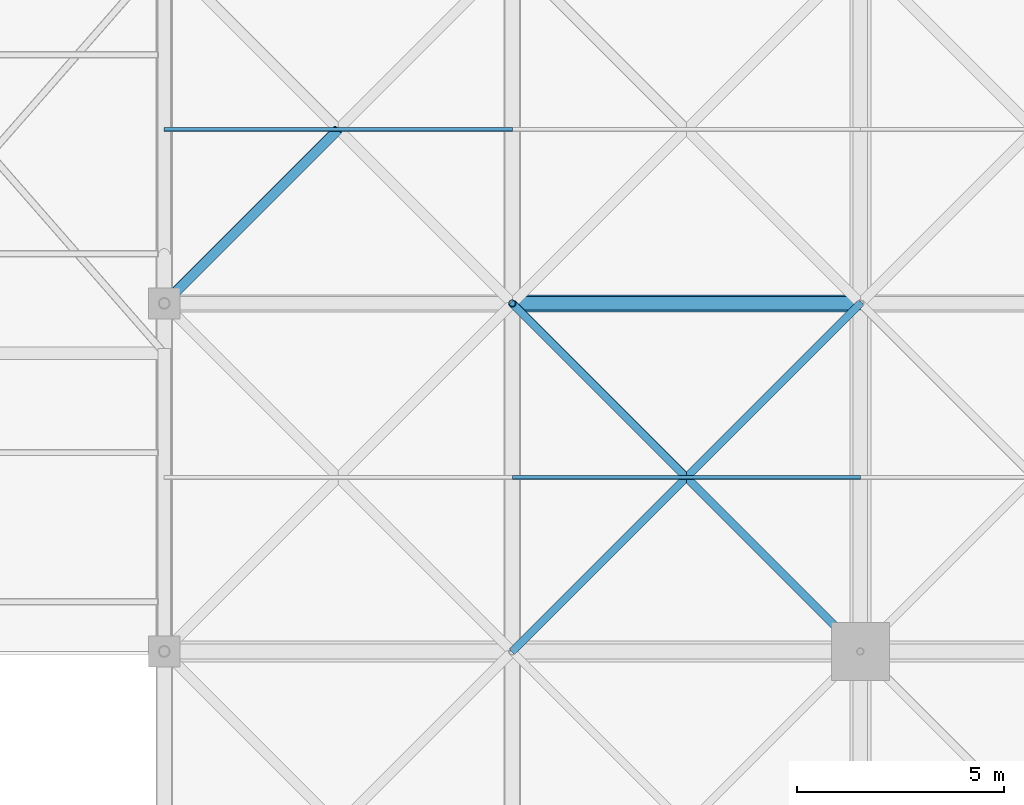
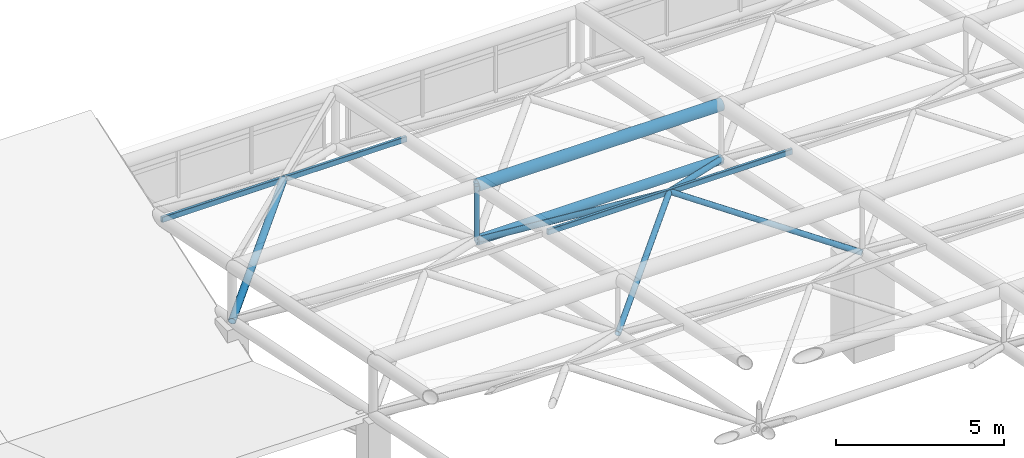
# One storey, part 51 of 110: 10 members.
"""IFC4 building model written with IfcOpenShell, lengths in metres."""

from ifc_helpers import new_model, si_unit, direction, frame, origin, origin_2d, place, context, subcontext, project, spatial, hollow_rectangle, hollow_circle, extrude, material, material_profile, profile_set, type_object, element, save


model = new_model("IFC4")

# Units and contexts
model_context = context("Model", 3, precision=1e-05, world=origin(), true_north=direction((0.0, 1.0)))
body_context = subcontext(model_context, "Body", "Model", "MODEL_VIEW")
ifc_project = project(units=[si_unit("LENGTHUNIT", "METRE"), si_unit("AREAUNIT", "SQUARE_METRE"), si_unit("VOLUMEUNIT", "CUBIC_METRE"), si_unit("PLANEANGLEUNIT", "RADIAN"), si_unit("MASSUNIT", "GRAM", prefix="KILO")], contexts=[model_context])

# Site, building, storey
site_placement = place(None, origin())
site = spatial("IfcSite", under=ifc_project, at=site_placement, CompositionType="ELEMENT")
building_placement = place(site_placement, origin())
building = spatial("IfcBuilding", under=site, at=building_placement, Name="Qawsi Khor Wholesale Market", CompositionType="ELEMENT")
storey_placement = place(building_placement, frame((0.0, 0.0, 11.39990234375)))
storey = spatial("IfcBuildingStorey", under=building, at=storey_placement, Name="L02", CompositionType="ELEMENT", Elevation=11.39990234375)

# Members
ifc_material = material(Name="Steel S355", Category="steel")
ifc_material_profile_1 = material_profile(ifc_material, hollow_circle(Radius=0.122314453125, WallThickness=0.012451171875, at=origin_2d()), Name="CHS 244.5x12.5")
ifc_profile_set_1 = profile_set([ifc_material_profile_1], Name="Steel S355")
member_type_1 = type_object("IfcMemberType", Name="Space-Frame Heavy Diagonal CHS 244.5x12.5", PredefinedType="POST", material=ifc_profile_set_1)
member_1_placement = place(storey_placement, frame((142.800048828125, 100.800048828125, 1.670166015625), z_axis=(0.694216714393, 0.694216714393, 0.190069216113), x_axis=(-0.707106781187, 0.707106781187, 0.0)))
element("IfcMember", 1, at=member_1_placement, inside=storey, type_object=member_type_1, Name="Space frame diagonal EH (17,12)-1", PredefinedType="POST", context=body_context, shape_type="SweptSolid", body=[
    extrude(hollow_circle(Radius=0.122314453125, WallThickness=0.012451171875, at=origin_2d()), origin(), (0.0, 0.0, 1.0), 6.0498046875),
])
ifc_material_profile_2 = material_profile(ifc_material, hollow_rectangle(XDim=0.10009765625, YDim=0.199951171875, WallThickness=0.008056640625, InnerFilletRadius=0.008056640625, OuterFilletRadius=0.01611328125, at=origin_2d()), Name="RHS 200x100x8.0")
ifc_profile_set_2 = profile_set([ifc_material_profile_2], Name="Steel S355")
member_type_2 = type_object("IfcMemberType", Name="Space-Frame Purlin RHS 200x100x8.0", PredefinedType="PURLIN", material=ifc_profile_set_2)
member_2_placement = place(storey_placement, frame((142.800048828125, 105.0, 2.820068359375), z_axis=(1.0, 0.0, 0.0), x_axis=(0.0, 1.0, 0.0)))
element("IfcMember", 2, at=member_2_placement, inside=storey, type_object=member_type_2, Name="Space frame purlin EH (17,12)", PredefinedType="PURLIN", context=body_context, shape_type="SweptSolid", body=[
    extrude(hollow_rectangle(XDim=0.10009765625, YDim=0.199951171875, WallThickness=0.008056640625, InnerFilletRadius=0.008056640625, OuterFilletRadius=0.01611328125, at=origin_2d()), origin(), (0.0, 0.0, 1.0), 8.39990234375),
])
member_3_placement = place(storey_placement, frame((151.199951171875, 96.60009765625, 4.52001953125), z_axis=(1.0, 0.0, 0.0), x_axis=(0.0, 1.0, 0.0)))
element("IfcMember", 3, at=member_3_placement, inside=storey, type_object=member_type_2, Name="Space frame purlin EH (18,11)", PredefinedType="PURLIN", context=body_context, shape_type="SweptSolid", body=[
    extrude(hollow_rectangle(XDim=0.10009765625, YDim=0.199951171875, WallThickness=0.008056640625, InnerFilletRadius=0.008056640625, OuterFilletRadius=0.01611328125, at=origin_2d()), origin(), (0.0, 0.0, 1.0), 8.400146484375),
])
ifc_material_profile_3 = material_profile(ifc_material, hollow_circle(Radius=0.161865234375, WallThickness=0.01611328125, at=origin_2d()), Name="CHS 323.9x16.0")
ifc_profile_set_3 = profile_set([ifc_material_profile_3], Name="Steel S355")
member_type_3 = type_object("IfcMemberType", Name="Space-Frame Secondary Chord CHS 323.9x16.0", PredefinedType="CHORD", material=ifc_profile_set_3)
member_4_placement = place(storey_placement, frame((151.199951171875, 100.800048828125, 1.670166015625), z_axis=(1.0, 0.0, 0.0), x_axis=(0.0, 1.0, 0.0)))
element("IfcMember", 4, at=member_4_placement, inside=storey, type_object=member_type_3, Name="Space frame bottom chord X EH (18,12)", PredefinedType="CHORD", context=body_context, shape_type="SweptSolid", body=[
    extrude(hollow_circle(Radius=0.161865234375, WallThickness=0.01611328125, at=origin_2d()), origin(), (0.0, 0.0, 1.0), 8.400146484375),
])
ifc_material_profile_4 = material_profile(ifc_material, hollow_circle(Radius=0.096923828125, WallThickness=0.008056640625, at=origin_2d()), Name="CHS 193.7x8.0")
ifc_profile_set_4 = profile_set([ifc_material_profile_4], Name="Steel S355")
member_type_4 = type_object("IfcMemberType", Name="Space-Frame Secondary Diagonal CHS 193.7x8.0", PredefinedType="RAFTER", material=ifc_profile_set_4)
member_5_placement = place(storey_placement, frame((151.199951171875, 92.39990234375, 3.3701171875), z_axis=(0.694197266374, 0.694237619642, 0.19006389145), x_axis=(-0.707127332136, 0.70708622964, 0.0)))
element("IfcMember", 5, at=member_5_placement, inside=storey, type_object=member_type_4, Name="Space frame diagonal EH (18,11)-1", PredefinedType="RAFTER", context=body_context, shape_type="SweptSolid", body=[
    extrude(hollow_circle(Radius=0.096923828125, WallThickness=0.008056640625, at=origin_2d()), origin(), (0.0, 0.0, 1.0), 6.050048828125),
])
member_6_placement = place(storey_placement, frame((159.60009765625, 92.39990234375, 3.3701171875), z_axis=(-0.694218172126, 0.694218172126, 0.190058567235), x_axis=(-0.707106781187, -0.707106781187, 0.0)))
element("IfcMember", 6, at=member_6_placement, inside=storey, type_object=member_type_4, Name="Space frame diagonal EH (18,11)-2", PredefinedType="RAFTER", context=body_context, shape_type="SweptSolid", body=[
    extrude(hollow_circle(Radius=0.096923828125, WallThickness=0.008056640625, at=origin_2d()), origin(), (0.0, 0.0, 1.0), 6.05029296875),
])
member_7_placement = place(storey_placement, frame((159.60009765625, 100.800048828125, 1.670166015625), z_axis=(-0.637543957519, -0.637506899628, 0.432576762155), x_axis=(0.70708622964, -0.707127332136, 0.0)))
element("IfcMember", 7, at=member_7_placement, inside=storey, type_object=member_type_4, Name="Space frame diagonal EH (18,11)-3", PredefinedType="RAFTER", context=body_context, shape_type="SweptSolid", body=[
    extrude(hollow_circle(Radius=0.096923828125, WallThickness=0.008056640625, at=origin_2d()), origin(), (0.0, 0.0, 1.0), 6.588134765625),
])
member_8_placement = place(storey_placement, frame((151.199951171875, 100.800048828125, 1.670166015625), z_axis=(0.637521961484, -0.637521961484, 0.432586982294), x_axis=(0.707106781187, 0.707106781187, 0.0)))
element("IfcMember", 8, at=member_8_placement, inside=storey, type_object=member_type_4, Name="Space frame diagonal EH (18,11)-4", PredefinedType="RAFTER", context=body_context, shape_type="SweptSolid", body=[
    extrude(hollow_circle(Radius=0.096923828125, WallThickness=0.008056640625, at=origin_2d()), origin(), (0.0, 0.0, 1.0), 6.587890625),
])
ifc_material_profile_5 = material_profile(ifc_material, hollow_circle(Radius=0.203125, WallThickness=0.02001953125, at=origin_2d()), Name="CHS 406.4x20.0")
ifc_profile_set_5 = profile_set([ifc_material_profile_5], Name="Steel S355")
member_type_5 = type_object("IfcMemberType", Name="Space-Frame Top Chord CHS 406.4x20.0", PredefinedType="CHORD", material=ifc_profile_set_5)
member_9_placement = place(storey_placement, frame((151.199951171875, 100.800048828125, 3.670166015625), z_axis=(1.0, 0.0, 0.0), x_axis=(0.0, 1.0, 0.0)))
element("IfcMember", 9, at=member_9_placement, inside=storey, type_object=member_type_5, Name="Space frame top chord X EH (18,12)", PredefinedType="CHORD", context=body_context, shape_type="SweptSolid", body=[
    extrude(hollow_circle(Radius=0.203125, WallThickness=0.02001953125, at=origin_2d()), origin(), (0.0, 0.0, 1.0), 8.400146484375),
])
ifc_material_profile_6 = material_profile(ifc_material, hollow_circle(Radius=0.084228515625, WallThickness=0.008056640625, at=origin_2d()), Name="CHS 168.3x8.0")
ifc_profile_set_6 = profile_set([ifc_material_profile_6], Name="Steel S355")
member_type_6 = type_object("IfcMemberType", Name="Space-Frame Vertical Strut CHS 168.3x8.0", PredefinedType="STRUT", material=ifc_profile_set_6)
member_10_placement = place(storey_placement, frame((151.199951171875, 100.800048828125, 1.670166015625), z_axis=(0.0, 0.0, 1.0), x_axis=(1.0, 0.0, 0.0)))
element("IfcMember", 10, at=member_10_placement, inside=storey, type_object=member_type_6, Name="Space frame post EH (18,12)", PredefinedType="STRUT", context=body_context, shape_type="SweptSolid", body=[
    extrude(hollow_circle(Radius=0.084228515625, WallThickness=0.008056640625, at=origin_2d()), origin(), (0.0, 0.0, 1.0), 2.0),
])

save(model, "model.ifc")
